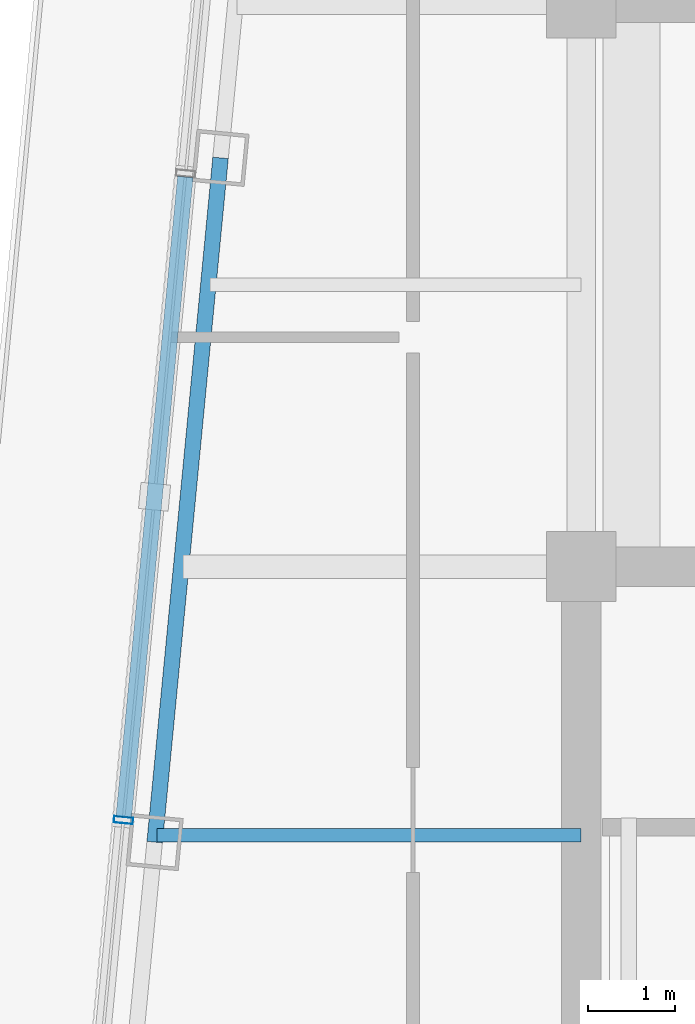
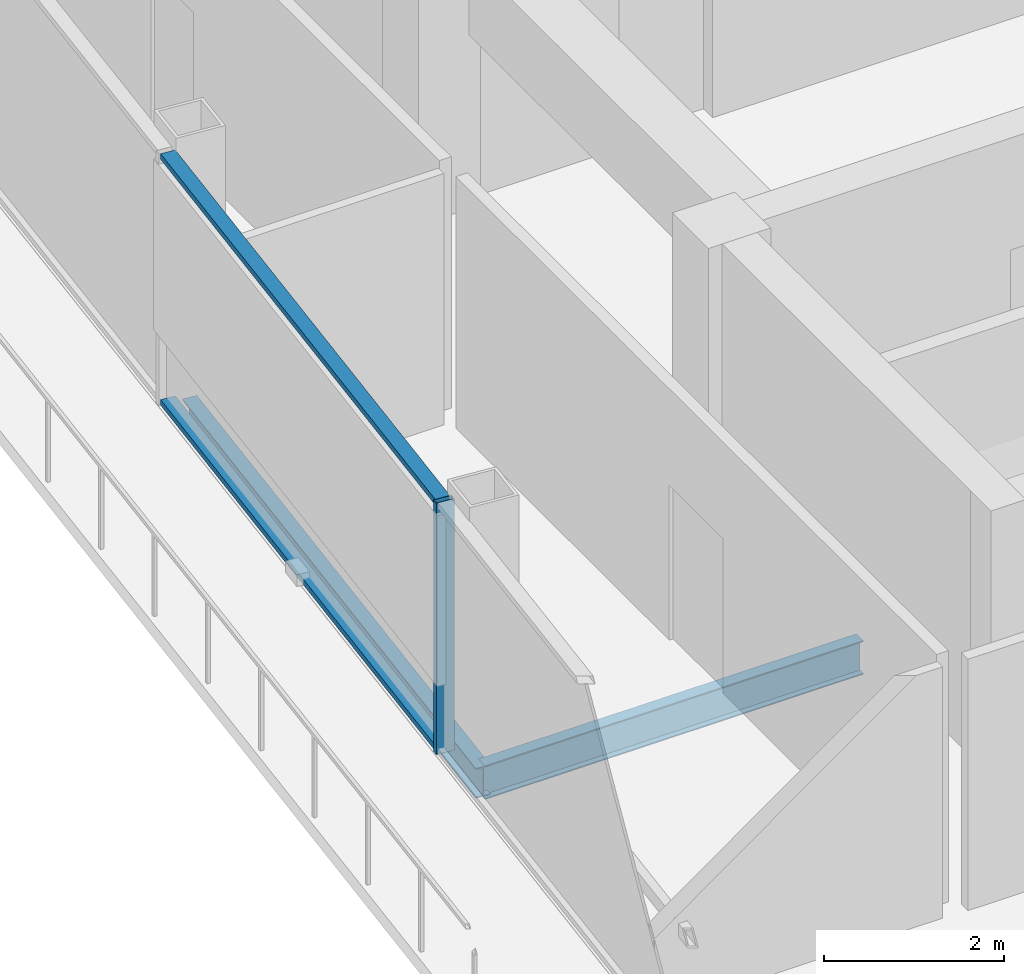
# One storey, part 4 of 23: 3 members, 2 beams, 1 element without a shape of its own.
"""IFC4 building model written with IfcOpenShell, lengths in metres."""

from ifc_helpers import new_model, si_unit, direction, frame, origin, origin_2d, place, context, subcontext, project, spatial, hollow_rectangle, i_section, extrude, material, layer, layer_set, material_profile, profile_set, type_object, element, aggregate, save


model = new_model("IFC4")

# Units and contexts
model_context = context("Model", 3, precision=1e-05, world=origin(), true_north=direction((0.0, 1.0)))
body_context = subcontext(model_context, "Body", "Model", "MODEL_VIEW")
ifc_project = project(units=[si_unit("LENGTHUNIT", "METRE"), si_unit("AREAUNIT", "SQUARE_METRE"), si_unit("VOLUMEUNIT", "CUBIC_METRE"), si_unit("PLANEANGLEUNIT", "RADIAN"), si_unit("MASSUNIT", "GRAM", prefix="KILO")], contexts=[model_context])

# Site, building, storey
site_placement = place(None, origin())
site = spatial("IfcSite", under=ifc_project, at=site_placement, CompositionType="ELEMENT")
building_placement = place(site_placement, origin())
building = spatial("IfcBuilding", under=site, at=building_placement, Name="Qhalaya Broadcast Tower", CompositionType="ELEMENT")
storey_placement = place(building_placement, frame((0.0, 0.0, 276.949951171875)))
storey = spatial("IfcBuildingStorey", under=building, at=storey_placement, Name="L82", CompositionType="ELEMENT", Elevation=276.949951171875)

# Beam
ifc_material_1 = material(Name="Structural Steel ASTM A992 Grade 50", Category="steel")
ifc_material_profile_1 = material_profile(ifc_material_1, i_section(OverallWidth=0.154052734375, OverallDepth=0.458984375, WebThickness=0.009033203125, FlangeThickness=0.015380859375, at=origin_2d()), Name="W18X46")
ifc_profile_set_1 = profile_set([ifc_material_profile_1], Name="Structural Steel ASTM A992 Grade 50")
beam_type_1 = type_object("IfcBeamType", Name="Composite Floor Joist J04", PredefinedType="JOIST", material=ifc_profile_set_1)
beam_1_placement = place(storey_placement, frame((-14.228759765625, -5.699951171875, -0.41943359375), z_axis=(1.0, 0.0, 0.0), x_axis=(0.0, 1.0, 0.0)))
element("IfcBeam", 1, at=beam_1_placement, inside=storey, type_object=beam_type_1, Name="L82 J04 L82-JWE3W-1", PredefinedType="JOIST", context=body_context, shape_type="SweptSolid", body=[
    extrude(i_section(OverallWidth=0.154052734375, OverallDepth=0.458984375, WebThickness=0.009033203125, FlangeThickness=0.015380859375, at=origin_2d()), origin(), (0.0, 0.0, 1.0), 4.853759765625),
])

# Curtain wall, members
ifc_material_2 = material(Name="Solar-Control Low-E Triple Glazing", Category="glass")
ifc_layer = layer(ifc_material_2, 0.219970703125, Name="Solar-Control Low-E Triple Glazing")
ifc_layer_set = layer_set([ifc_layer], Name="Solar-Control Low-E Triple Glazing")
curtain_wall_type = type_object("IfcCurtainWallType", Name="Crown Garden & Observation Windscreen Curtain Wall CW-06", PredefinedType="NOTDEFINED", material=ifc_layer_set)
curtain_wall_placement = place(storey_placement, origin())
curtain_wall = element("IfcCurtainWall", 2, at=curtain_wall_placement, inside=storey, type_object=curtain_wall_type, Name="L82 Unitised Curtain Wall L82-CW-W", PredefinedType="NOTDEFINED")
ifc_material_3 = material(Name="Anodised Aluminium 6063-T6", Category="aluminium")
ifc_material_profile_2 = material_profile(ifc_material_3, hollow_rectangle(XDim=0.074951171875, YDim=0.219970703125, WallThickness=0.00390625, at=origin_2d()), Name="ALU-MUL 75x220x4")
ifc_profile_set_2 = profile_set([ifc_material_profile_2], Name="Anodised Aluminium 6063-T6")
member_type_1 = type_object("IfcMemberType", Name="Unitised Curtain-Wall Mullion M01", PredefinedType="MULLION", material=ifc_profile_set_2)
member_1_placement = place(storey_placement, frame((-14.614013671875, -5.52587890625, 0.0), z_axis=(0.0, 0.0, 1.0), x_axis=(-0.095847667974, -0.995396013928, 0.0)))
member_1 = element("IfcMember", 3, at=member_1_placement, type_object=member_type_1, Name="CW-06 mullion 3", PredefinedType="MULLION", context=body_context, shape_type="SweptSolid", body=[
    extrude(hollow_rectangle(XDim=0.074951171875, YDim=0.219970703125, WallThickness=0.00390625, at=origin_2d()), origin(), (0.0, 0.0, 1.0), 3.41015625),
])
ifc_material_profile_3 = material_profile(ifc_material_3, hollow_rectangle(XDim=0.074951171875, YDim=0.179931640625, WallThickness=0.00390625, at=origin_2d()), Name="ALU-TRN 75x180x4")
ifc_profile_set_3 = profile_set([ifc_material_profile_3], Name="Anodised Aluminium 6063-T6")
member_type_2 = type_object("IfcMemberType", Name="Unitised Curtain-Wall Transom T01", PredefinedType="USERDEFINED", material=ifc_profile_set_3)
member_2_placement = place(storey_placement, frame((-13.905029296875, 1.8359375, 0.03759765625), z_axis=(-0.095853387986, -0.995395463126, 0.0), x_axis=(0.0, 0.0, 1.0)))
member_2 = element("IfcMember", 4, at=member_2_placement, type_object=member_type_2, Name="CW-06 transom 2.1", ObjectType="TRANSOM", PredefinedType="USERDEFINED", context=body_context, shape_type="SweptSolid", body=[
    extrude(hollow_rectangle(XDim=0.074951171875, YDim=0.179931640625, WallThickness=0.00390625, at=origin_2d()), origin(), (0.0, 0.0, 1.0), 7.3583984375),
])
member_3_placement = place(storey_placement, frame((-13.905029296875, 1.8359375, 3.37255859375), z_axis=(-0.095853387986, -0.995395463126, 0.0), x_axis=(0.0, 0.0, 1.0)))
member_3 = element("IfcMember", 5, at=member_3_placement, type_object=member_type_2, Name="CW-06 transom 2.2", ObjectType="TRANSOM", PredefinedType="USERDEFINED", context=body_context, shape_type="SweptSolid", body=[
    extrude(hollow_rectangle(XDim=0.074951171875, YDim=0.179931640625, WallThickness=0.00390625, at=origin_2d()), origin(), (0.0, 0.0, 1.0), 7.3583984375),
])
aggregate(curtain_wall, [member_1, member_2, member_3])

# Beam
ifc_material_profile_4 = material_profile(ifc_material_1, i_section(OverallWidth=0.177978515625, OverallDepth=0.406005859375, WebThickness=0.0078125, FlangeThickness=0.0126953125, at=origin_2d()), Name="W16X40")
ifc_profile_set_4 = profile_set([ifc_material_profile_4], Name="Structural Steel ASTM A992 Grade 50")
beam_type_2 = type_object("IfcBeamType", Name="Upper Perimeter Spandrel Beam SP2", PredefinedType="SPANDREL", material=ifc_profile_set_4)
beam_2_placement = place(storey_placement, frame((-13.50244140625, 2.052490234375, -0.39306640625), z_axis=(-0.095837184179, -0.995397023367, 0.0), x_axis=(0.995397023367, -0.095837184179, 0.0)))
element("IfcBeam", 6, at=beam_2_placement, inside=storey, type_object=beam_type_2, Name="L82 SP2 L82-SPR-14", PredefinedType="SPANDREL", context=body_context, shape_type="SweptSolid", body=[
    extrude(i_section(OverallWidth=0.177978515625, OverallDepth=0.406005859375, WebThickness=0.0078125, FlangeThickness=0.0126953125, at=origin_2d()), origin(), (0.0, 0.0, 1.0), 7.866455078125),
])

save(model, "model.ifc")
